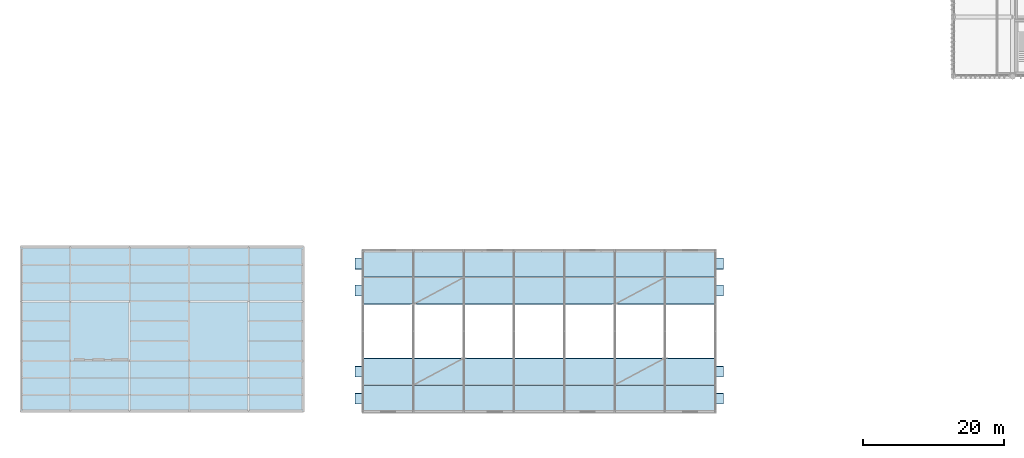
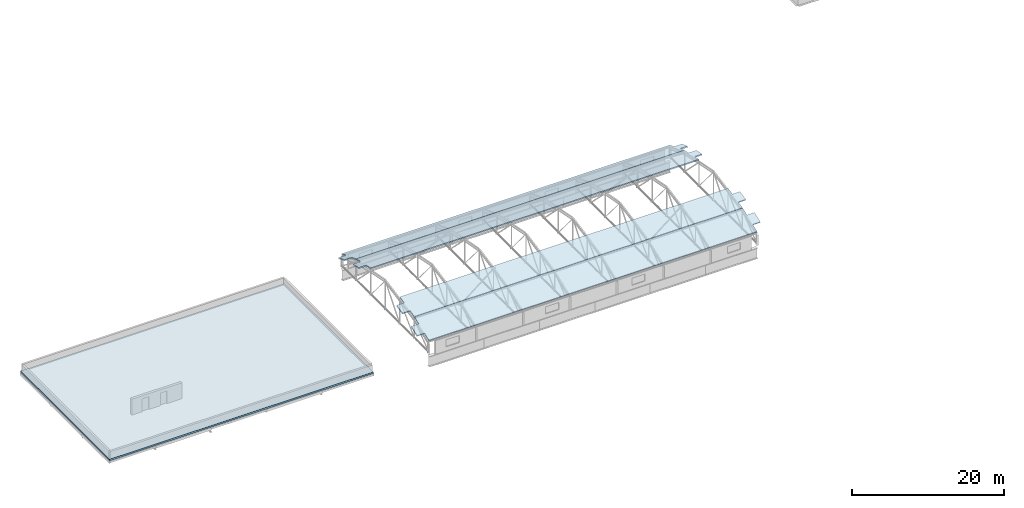
# One storey, part 42 of 53: 5 slabs.
"""IFC4 building model written with IfcOpenShell, lengths in metres."""

from ifc_helpers import new_model, si_unit, direction, frame, origin_with_axes, place, context, subcontext, project, spatial, polyline, outline, extrude, material, layer, layer_set, type_object, element, save


model = new_model("IFC4")

# Units and contexts
model_context = context("Model", 3, precision=1e-05, world=origin_with_axes(), true_north=direction((0.0, 1.0)))
body_context = subcontext(model_context, "Body", "Model", "MODEL_VIEW")
ifc_project = project(units=[si_unit("LENGTHUNIT", "METRE"), si_unit("AREAUNIT", "SQUARE_METRE"), si_unit("VOLUMEUNIT", "CUBIC_METRE"), si_unit("PLANEANGLEUNIT", "RADIAN"), si_unit("MASSUNIT", "GRAM", prefix="KILO"), si_unit("THERMODYNAMICTEMPERATUREUNIT", "KELVIN")], contexts=[model_context])

# Site, building, storey
site_placement = place(None, origin_with_axes())
site = spatial("IfcSite", under=ifc_project, at=site_placement, CompositionType="ELEMENT")
building_placement = place(site_placement, origin_with_axes())
building = spatial("IfcBuilding", under=site, at=building_placement, Name="Montbau Bow Law Courts", CompositionType="ELEMENT")
storey_placement = place(building_placement, frame((0.0, 0.0, 39.0), z_axis=(0.0, 0.0, 1.0), x_axis=(1.0, 0.0, 0.0)))
storey = spatial("IfcBuildingStorey", under=building, at=storey_placement, Name="L08", CompositionType="ELEMENT", Elevation=39.0)

# Slabs
ifc_material = material(Name="Concrete CSA A23.1 f'c 40 MPa", Category="concrete")
ifc_layer_1 = layer(ifc_material, 0.25, Name="Roof Slab", Category="concrete")
ifc_layer_set_1 = layer_set([ifc_layer_1], Name="Concrete CSA A23.1 f'c 40 MPa")
slab_type_1 = type_object("IfcSlabType", Name="SL-ROF-01", PredefinedType="ROOF", material=ifc_layer_set_1)
slab_1_placement = place(None, frame((0.0, 0.0, 38.75), z_axis=(0.0, 0.0, 1.0), x_axis=(1.0, 0.0, 0.0)))
element("IfcSlab", 1, at=slab_1_placement, inside=storey, type_object=slab_type_1, Name="RF-SLB-V2:slb_0047", PredefinedType="ROOF", context=body_context, shape_type="SweptSolid", body=[
    extrude(outline(polyline([(6.8, 39.0), (46.8, 39.0), (46.8, 62.4), (6.8, 62.4), (6.8, 39.0)])), origin_with_axes(), (0.0, 0.0, 1.0), 0.25),
])
ifc_layer_2 = layer(ifc_material, 0.17, Name="Roof Slab", Category="concrete")
ifc_layer_set_2 = layer_set([ifc_layer_2], Name="Concrete CSA A23.1 f'c 40 MPa")
slab_type_2 = type_object("IfcSlabType", Name="SL-ROF-04", PredefinedType="ROOF", material=ifc_layer_set_2)
slab_2_placement = place(None, frame((0.0, 0.0, 25.843491), z_axis=(0.0, -0.362536208, 0.931969687), x_axis=(1.0, 0.0, 0.0)))
element("IfcSlab", 2, at=slab_2_placement, inside=storey, type_object=slab_type_2, Name="BV-SLB-V3-F1:slb_0086", PredefinedType="ROOF", context=body_context, shape_type="SweptSolid", body=[
    extrude(outline(polyline([(55.2, 41.846855), (105.0, 41.846855), (105.0, 43.07007), (106.15, 43.07007), (106.15, 44.701025), (105.0, 44.701025), (105.0, 45.92424), (55.2, 45.92424), (55.2, 44.701025), (54.05, 44.701025), (54.05, 43.07007), (55.2, 43.07007), (55.2, 41.846855)])), origin_with_axes(), (0.0, 0.0, 1.0), 0.17),
])
slab_3_placement = place(None, frame((0.0, 0.0, 32.947724), z_axis=(0.0, -0.217653806, 0.976026035), x_axis=(1.0, 0.0, 0.0)))
element("IfcSlab", 3, at=slab_3_placement, inside=storey, type_object=slab_type_2, Name="BV-SLB-V3-F2:slb_0087", PredefinedType="ROOF", context=body_context, shape_type="SweptSolid", body=[
    extrude(outline(polyline([(55.2, 43.851289), (105.0, 43.851289), (105.0, 45.019291), (106.15, 45.019291), (106.15, 46.576626), (105.0, 46.576626), (105.0, 47.744628), (55.2, 47.744628), (55.2, 46.576626), (54.05, 46.576626), (54.05, 45.019291), (55.2, 45.019291), (55.2, 43.851289)])), origin_with_axes(), (0.0, 0.0, 1.0), 0.17),
])
slab_4_placement = place(None, frame((0.0, 0.0, 55.426124), z_axis=(0.0, 0.217653806, 0.976026035), x_axis=(1.0, 0.0, 0.0)))
element("IfcSlab", 4, at=slab_4_placement, inside=storey, type_object=slab_type_2, Name="BV-SLB-V3-F5:slb_0090", PredefinedType="ROOF", context=body_context, shape_type="SweptSolid", body=[
    extrude(outline(polyline([(55.2, 55.531306), (105.0, 55.531306), (105.0, 56.699307), (106.15, 56.699307), (106.15, 58.256643), (105.0, 58.256643), (105.0, 59.424644), (55.2, 59.424644), (55.2, 58.256643), (54.05, 58.256643), (54.05, 56.699307), (55.2, 56.699307), (55.2, 55.531306)])), origin_with_axes(), (0.0, 0.0, 1.0), 0.17),
])
slab_5_placement = place(None, frame((0.0, 0.0, 65.054691), z_axis=(0.0, 0.362536208, 0.931969687), x_axis=(1.0, 0.0, 0.0)))
element("IfcSlab", 5, at=slab_5_placement, inside=storey, type_object=slab_type_2, Name="BV-SLB-V3-F6:slb_0091", PredefinedType="ROOF", context=body_context, shape_type="SweptSolid", body=[
    extrude(outline(polyline([(55.2, 62.233784), (105.0, 62.233784), (105.0, 63.457), (106.15, 63.457), (106.15, 65.087954), (105.0, 65.087954), (105.0, 66.31117), (55.2, 66.31117), (55.2, 65.087954), (54.05, 65.087954), (54.05, 63.457), (55.2, 63.457), (55.2, 62.233784)])), origin_with_axes(), (0.0, 0.0, 1.0), 0.17),
])

save(model, "model.ifc")
